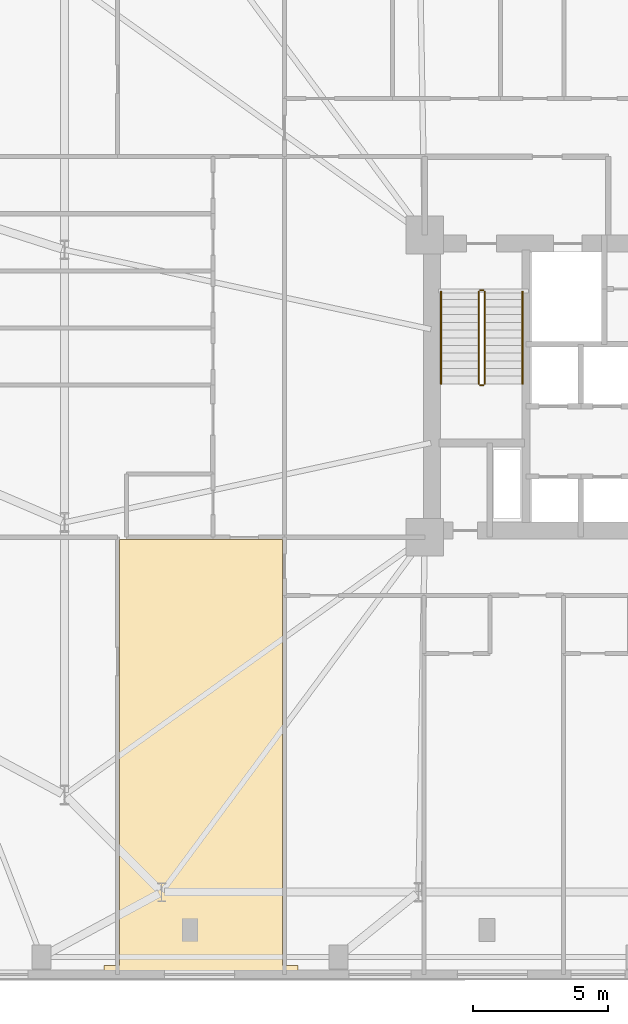
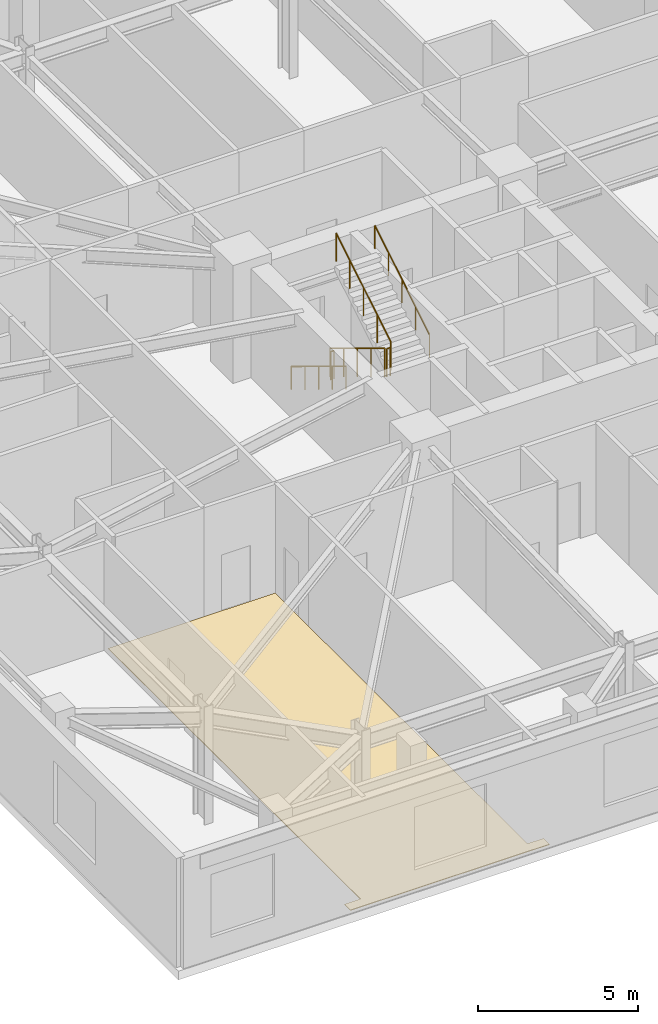
# One storey, part 18 of 21: 6 railings, 1 covering.
"""IFC4 building model written with IfcOpenShell, lengths in metres."""

from ifc_helpers import new_model, si_unit, direction, frame, origin, origin_2d, place, context, subcontext, project, spatial, polyline, circle, outline, extrude, material, layer, layer_set, type_object, element, save


model = new_model("IFC4")

# Units and contexts
model_context = context("Model", 3, precision=1e-05, world=origin(), true_north=direction((0.0, 1.0)))
body_context = subcontext(model_context, "Body", "Model", "MODEL_VIEW")
ifc_project = project(units=[si_unit("LENGTHUNIT", "METRE"), si_unit("AREAUNIT", "SQUARE_METRE"), si_unit("VOLUMEUNIT", "CUBIC_METRE"), si_unit("PLANEANGLEUNIT", "RADIAN"), si_unit("MASSUNIT", "GRAM", prefix="KILO")], contexts=[model_context])

# Site, building, storey
site_placement = place(None, origin())
site = spatial("IfcSite", under=ifc_project, at=site_placement, CompositionType="ELEMENT")
building_placement = place(site_placement, origin())
building = spatial("IfcBuilding", under=site, at=building_placement, Name="Qobustan Lattice House", CompositionType="ELEMENT")
storey_placement = place(building_placement, frame((0.0, 0.0, 18.0)))
storey = spatial("IfcBuildingStorey", under=building, at=storey_placement, Name="L04", CompositionType="ELEMENT", Elevation=18.0)

# Covering
ifc_material_1 = material(Name="Honed Absheron stone terrazzo flooring", Category="masonry")
ifc_layer = layer(ifc_material_1, 0.02490234375)
ifc_layer_set = layer_set([ifc_layer], Name="Honed Absheron stone terrazzo flooring")
covering_type = type_object("IfcCoveringType", Name="COV-TERRAZZO-FLR", PredefinedType="FLOORING", material=ifc_layer_set)
covering_placement = place(storey_placement, origin())
element("IfcCovering", 1, at=covering_placement, inside=storey, type_object=covering_type, Name="L04 Reading seminar room L04WS stone terrazzo flooring", PredefinedType="FLOORING", context=body_context, shape_type="SweptSolid", body=[
    extrude(outline(polyline([(-30.68994140625, -21.4599609375), (-30.68994140625, -21.830078125), (-23.5, -21.830078125), (-23.5, -21.4599609375), (-24.080078125, -21.4599609375), (-24.080078125, -5.679931640625), (-30.110107421875, -5.679931640625), (-30.110107421875, -21.4599609375), (-30.68994140625, -21.4599609375)])), origin(), (0.0, 0.0, 1.0), 0.02490234375),
])

# Railings
ifc_material_2 = material(Name="Brushed stainless steel handrail", Category="steel")
railing_type_1 = type_object("IfcRailingType", Name="RAL-HR-920", PredefinedType="HANDRAIL", material=ifc_material_2)
railing_1_placement = place(storey_placement, frame((-18.199951171875, 3.5, 0.173095703125)))
element("IfcRailing", 2, at=railing_1_placement, inside=storey, type_object=railing_type_1, Name="L04 ST-W1 stair handrail 1", PredefinedType="HANDRAIL", context=body_context, shape_type="SweptSolid", body=[
    extrude(circle(Radius=0.02392578125, at=origin_2d()), frame((0.0, 0.0, 0.8759765625), z_axis=(0.0, -0.854729506542, 0.519073665916), x_axis=(1.0, 0.0, 0.0)), (0.0, 0.0, 1.0), 4.001220703125),
    extrude(circle(Radius=0.02099609375, at=origin_2d()), origin(), (0.0, 0.0, 1.0), 0.851806640625),
    extrude(circle(Radius=0.02099609375, at=origin_2d()), frame((0.0, -0.85498046875, 0.519287109375)), (0.0, 0.0, 1.0), 0.851806640625),
    extrude(circle(Radius=0.02099609375, at=origin_2d()), frame((0.0, -1.7099609375, 1.03857421875)), (0.0, 0.0, 1.0), 0.851806640625),
    extrude(circle(Radius=0.02099609375, at=origin_2d()), frame((0.0, -2.56494140625, 1.5576171875)), (0.0, 0.0, 1.0), 0.851806640625),
    extrude(circle(Radius=0.02099609375, at=origin_2d()), frame((0.0, -3.419921875, 2.076904296875)), (0.0, 0.0, 1.0), 0.851806640625),
])
railing_2_placement = place(storey_placement, frame((-15.179931640625, 0.080078125, 2.423095703125)))
element("IfcRailing", 3, at=railing_2_placement, inside=storey, type_object=railing_type_1, Name="L04 ST-W1 stair handrail 2", PredefinedType="HANDRAIL", context=body_context, shape_type="SweptSolid", body=[
    extrude(circle(Radius=0.02392578125, at=origin_2d()), frame((0.0, 0.0, 0.8759765625), z_axis=(0.0, 0.854729506542, 0.519073665916), x_axis=(-1.0, 0.0, 0.0)), (0.0, 0.0, 1.0), 4.001220703125),
    extrude(circle(Radius=0.02099609375, at=origin_2d()), origin(), (0.0, 0.0, 1.0), 0.851806640625),
    extrude(circle(Radius=0.02099609375, at=origin_2d()), frame((0.0, 0.85498046875, 0.519287109375)), (0.0, 0.0, 1.0), 0.851806640625),
    extrude(circle(Radius=0.02099609375, at=origin_2d()), frame((0.0, 1.7099609375, 1.03857421875)), (0.0, 0.0, 1.0), 0.851806640625),
    extrude(circle(Radius=0.02099609375, at=origin_2d()), frame((0.0, 2.56494140625, 1.5576171875)), (0.0, 0.0, 1.0), 0.851806640625),
    extrude(circle(Radius=0.02099609375, at=origin_2d()), frame((0.0, 3.419921875, 2.076904296875)), (0.0, 0.0, 1.0), 0.851806640625),
])
ifc_material_3 = material(Name="Painted galvanized steel guardrail", Category="steel")
railing_type_2 = type_object("IfcRailingType", Name="RAL-STG-1150", PredefinedType="GUARDRAIL", material=ifc_material_3)
railing_3_placement = place(storey_placement, frame((-16.800048828125, 3.5, 0.173095703125)))
element("IfcRailing", 4, at=railing_3_placement, inside=storey, type_object=railing_type_2, Name="L04 ST-W1 stair guard 1", PredefinedType="GUARDRAIL", context=body_context, shape_type="SweptSolid", body=[
    extrude(circle(Radius=0.02392578125, at=origin_2d()), frame((0.0, 0.0, 1.076171875), z_axis=(0.0, -0.854729506542, 0.519073665916), x_axis=(1.0, 0.0, 0.0)), (0.0, 0.0, 1.0), 4.001220703125),
    extrude(circle(Radius=0.02099609375, at=origin_2d()), origin(), (0.0, 0.0, 1.0), 1.052001953125),
    extrude(circle(Radius=0.02099609375, at=origin_2d()), frame((0.0, -0.85498046875, 0.519287109375)), (0.0, 0.0, 1.0), 1.052001953125),
    extrude(circle(Radius=0.02099609375, at=origin_2d()), frame((0.0, -1.7099609375, 1.03857421875)), (0.0, 0.0, 1.0), 1.052001953125),
    extrude(circle(Radius=0.02099609375, at=origin_2d()), frame((0.0, -2.56494140625, 1.5576171875)), (0.0, 0.0, 1.0), 1.052001953125),
    extrude(circle(Radius=0.02099609375, at=origin_2d()), frame((0.0, -3.419921875, 2.076904296875)), (0.0, 0.0, 1.0), 1.052001953125),
])
railing_4_placement = place(storey_placement, frame((-16.75, 0.030029296875, 2.25)))
element("IfcRailing", 5, at=railing_4_placement, inside=storey, type_object=railing_type_2, Name="L04 ST-W1 stair guard 2", PredefinedType="GUARDRAIL", context=body_context, shape_type="SweptSolid", body=[
    extrude(circle(Radius=0.02392578125, at=origin_2d()), frame((0.0, 0.0, 1.076171875), z_axis=(1.0, 0.0, 0.0), x_axis=(0.0, 1.0, 0.0)), (0.0, 0.0, 1.0), 0.1201171875),
    extrude(circle(Radius=0.02099609375, at=origin_2d()), origin(), (0.0, 0.0, 1.0), 1.052001953125),
    extrude(circle(Radius=0.02099609375, at=origin_2d()), frame((0.1201171875, 0.0, 0.0)), (0.0, 0.0, 1.0), 1.052001953125),
])
railing_5_placement = place(storey_placement, frame((-16.580078125, 0.080078125, 2.423095703125)))
element("IfcRailing", 6, at=railing_5_placement, inside=storey, type_object=railing_type_2, Name="L04 ST-W1 stair guard 3", PredefinedType="GUARDRAIL", context=body_context, shape_type="SweptSolid", body=[
    extrude(circle(Radius=0.02392578125, at=origin_2d()), frame((0.0, 0.0, 1.076171875), z_axis=(0.0, 0.854729506542, 0.519073665916), x_axis=(-1.0, 0.0, 0.0)), (0.0, 0.0, 1.0), 4.001220703125),
    extrude(circle(Radius=0.02099609375, at=origin_2d()), origin(), (0.0, 0.0, 1.0), 1.052001953125),
    extrude(circle(Radius=0.02099609375, at=origin_2d()), frame((0.0, 0.85498046875, 0.519287109375)), (0.0, 0.0, 1.0), 1.052001953125),
    extrude(circle(Radius=0.02099609375, at=origin_2d()), frame((0.0, 1.7099609375, 1.03857421875)), (0.0, 0.0, 1.0), 1.052001953125),
    extrude(circle(Radius=0.02099609375, at=origin_2d()), frame((0.0, 2.56494140625, 1.5576171875)), (0.0, 0.0, 1.0), 1.052001953125),
    extrude(circle(Radius=0.02099609375, at=origin_2d()), frame((0.0, 3.419921875, 2.076904296875)), (0.0, 0.0, 1.0), 1.052001953125),
])
railing_6_placement = place(storey_placement, frame((-16.75, 3.550048828125, 0.0)))
element("IfcRailing", 7, at=railing_6_placement, inside=storey, type_object=railing_type_2, Name="L04 ST-W1 stair guard 4", PredefinedType="GUARDRAIL", context=body_context, shape_type="SweptSolid", body=[
    extrude(circle(Radius=0.02392578125, at=origin_2d()), frame((0.0, 0.0, 1.076171875), z_axis=(1.0, 0.0, 0.0), x_axis=(0.0, 1.0, 0.0)), (0.0, 0.0, 1.0), 0.1201171875),
    extrude(circle(Radius=0.02099609375, at=origin_2d()), origin(), (0.0, 0.0, 1.0), 1.052001953125),
    extrude(circle(Radius=0.02099609375, at=origin_2d()), frame((0.1201171875, 0.0, 0.0)), (0.0, 0.0, 1.0), 1.052001953125),
])

save(model, "model.ifc")
